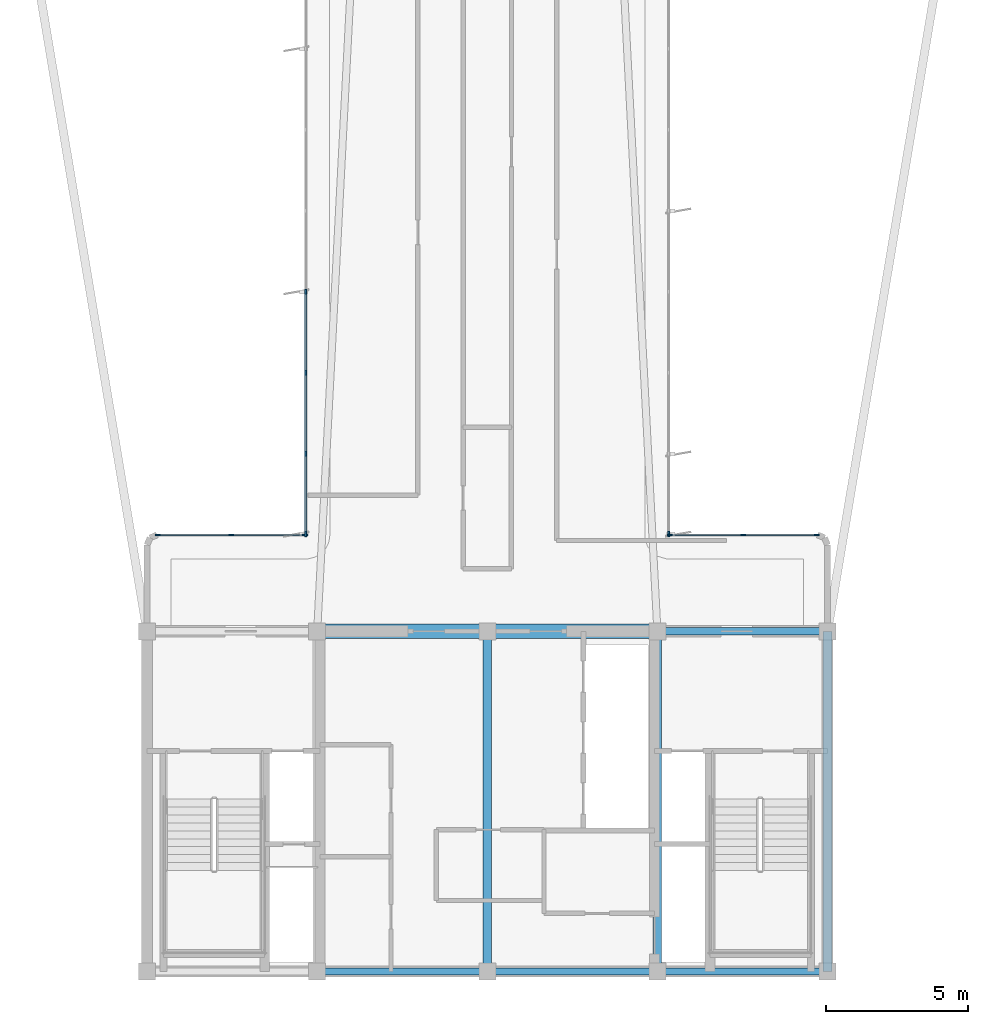
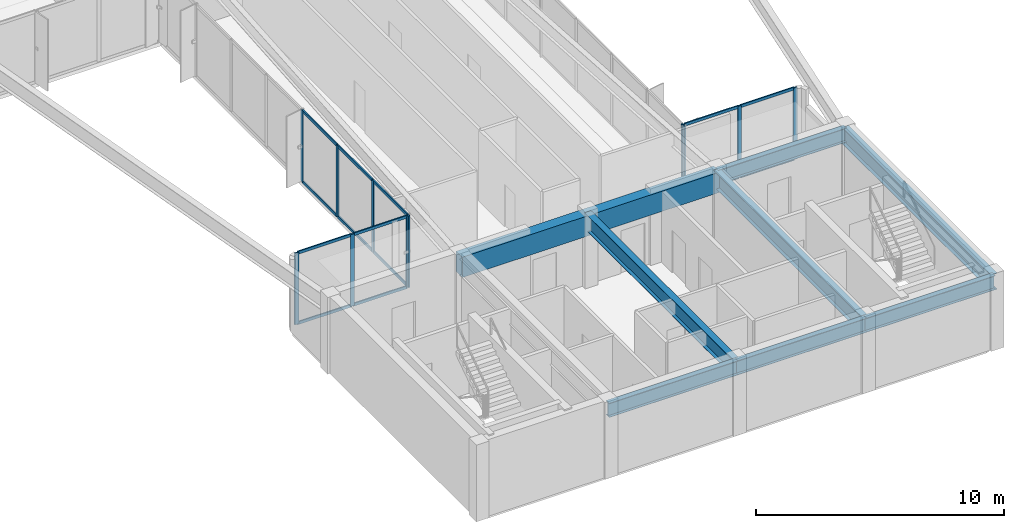
# One storey, part 2 of 16: 25 members, 8 beams, 4 elements without a shape of their own.
"""IFC4 building model written with IfcOpenShell, lengths in metres."""

from ifc_helpers import new_model, si_unit, direction, frame, origin, origin_2d, place, context, subcontext, project, spatial, rectangle, i_section, extrude, source, transform, mapped, material, layer, layer_set, material_profile, profile_set, type_object, element, aggregate, save


model = new_model("IFC4")

# Units and contexts
model_context = context("Model", 3, precision=1e-05, world=origin(), true_north=direction((0.0, 1.0)))
body_context = subcontext(model_context, "Body", "Model", "MODEL_VIEW")
ifc_project = project(units=[si_unit("LENGTHUNIT", "METRE"), si_unit("AREAUNIT", "SQUARE_METRE"), si_unit("VOLUMEUNIT", "CUBIC_METRE"), si_unit("PLANEANGLEUNIT", "RADIAN"), si_unit("MASSUNIT", "GRAM", prefix="KILO")], contexts=[model_context])

# Site, building, storey
site_placement = place(None, origin())
site = spatial("IfcSite", under=ifc_project, at=site_placement, CompositionType="ELEMENT")
building_placement = place(site_placement, origin())
building = spatial("IfcBuilding", under=site, at=building_placement, Name="Brelvock Crest Care Tower", CompositionType="ELEMENT")
storey_placement = place(building_placement, frame((0.0, 0.0, 238.139892578125)))
storey = spatial("IfcBuildingStorey", under=building, at=storey_placement, Name="L60", CompositionType="ELEMENT", Elevation=238.139892578125)

# Beams
ifc_material_1 = material(Name="Steel Grade 350", Category="steel")
ifc_material_profile_1 = material_profile(ifc_material_1, i_section(OverallWidth=0.25, OverallDepth=0.699951171875, WebThickness=0.011962890625, FlangeThickness=0.02001953125, at=origin_2d()), Name="700WB150")
ifc_profile_set_1 = profile_set([ifc_material_profile_1], Name="Steel Grade 350")
beam_type_1 = type_object("IfcBeamType", Name="BM-G4", PredefinedType="BEAM", material=ifc_profile_set_1)
shared_shape_1 = source(origin(), body_context, "Body", "SweptSolid", [
    extrude(i_section(OverallWidth=0.25, OverallDepth=0.699951171875, WebThickness=0.011962890625, FlangeThickness=0.02001953125, at=origin_2d()), origin(), (0.0, 0.0, 1.0), 6.0),
])
for number, where, z_axis, x_axis, name in (
    (1, (30.0, 6.0, 3.18017578125), (1.0, 0.0, 0.0), (0.0, 1.0, 0.0), "BM-CORES-L60-2"),
    (2, (36.0, 6.0, 3.18017578125), (1.0, 0.0, 0.0), (0.0, 1.0, 0.0), "BM-CORES-L60-3"),
    (3, (42.0, 6.0, 3.18017578125), (1.0, 0.0, 0.0), (0.0, 1.0, 0.0), "BM-CORES-L60-4"),
    (4, (42.0, 18.0, 3.18017578125), (1.0, 0.0, 0.0), (0.0, 1.0, 0.0), "BM-COREN-L60-4"),
):
    element("IfcBeam", number, at=place(storey_placement, frame(where, z_axis=z_axis, x_axis=x_axis)), inside=storey, type_object=beam_type_1, Name=name, PredefinedType="BEAM", context=body_context, shape_type="MappedRepresentation", body=[
        mapped(shared_shape_1, transform((0.0, 0.0, 0.0), x_axis=(1.0, 0.0, 0.0), y_axis=(0.0, 1.0, 0.0), z_axis=(0.0, 0.0, 1.0), scale=1.0)),
    ])
ifc_material_profile_2 = material_profile(ifc_material_1, i_section(OverallWidth=0.300048828125, OverallDepth=0.800048828125, WebThickness=0.013916015625, FlangeThickness=0.02197265625, at=origin_2d()), Name="800WB192")
ifc_profile_set_2 = profile_set([ifc_material_profile_2], Name="Steel Grade 350")
beam_type_2 = type_object("IfcBeamType", Name="BM-G5", PredefinedType="BEAM", material=ifc_profile_set_2)
shared_shape_2 = source(origin(), body_context, "Body", "SweptSolid", [
    extrude(i_section(OverallWidth=0.300048828125, OverallDepth=0.800048828125, WebThickness=0.013916015625, FlangeThickness=0.02197265625, at=origin_2d()), origin(), (0.0, 0.0, 1.0), 12.0),
])
for number, where, z_axis, x_axis, name in (
    (5, (36.0, 6.0, 3.130126953125), (0.0, 1.0, 0.0), (-1.0, 0.0, 0.0), "BM-COREX-L60-3"),
    (6, (42.0, 6.0, 3.130126953125), (0.0, 1.0, 0.0), (-1.0, 0.0, 0.0), "BM-COREX-L60-4"),
    (7, (48.0, 6.0, 3.130126953125), (0.0, 1.0, 0.0), (-1.0, 0.0, 0.0), "BM-COREX-L60-5"),
):
    element("IfcBeam", number, at=place(storey_placement, frame(where, z_axis=z_axis, x_axis=x_axis)), inside=storey, type_object=beam_type_2, Name=name, PredefinedType="BEAM", context=body_context, shape_type="MappedRepresentation", body=[
        mapped(shared_shape_2, transform((0.0, 0.0, 0.0), x_axis=(1.0, 0.0, 0.0), y_axis=(0.0, 1.0, 0.0), z_axis=(0.0, 0.0, 1.0), scale=1.0)),
    ])
ifc_material_2 = material(Name="Concrete S65 (65 MPa)", Category="concrete")
ifc_material_profile_3 = material_profile(ifc_material_2, rectangle(XDim=0.5, YDim=1.0, at=origin_2d()), Name="RC500x1000")
ifc_profile_set_3 = profile_set([ifc_material_profile_3], Name="Concrete S65 (65 MPa)")
beam_type_3 = type_object("IfcBeamType", Name="BM-LN2", PredefinedType="LINTEL", material=ifc_profile_set_3)
shared_shape_3 = source(origin(), body_context, "Body", "SweptSolid", [
    extrude(rectangle(XDim=0.5, YDim=1.0, at=origin_2d()), origin(), (0.0, 0.0, 1.0), 12.0),
])
beam_placement = place(storey_placement, frame((30.0, 18.0, 3.030029296875), z_axis=(1.0, 0.0, 0.0), x_axis=(0.0, 1.0, 0.0)))
element("IfcBeam", 8, at=beam_placement, inside=storey, type_object=beam_type_3, Name="L60 Core Coupling Lintel Beam", PredefinedType="LINTEL", context=body_context, shape_type="MappedRepresentation", body=[
    mapped(shared_shape_3, transform((0.0, 0.0, 0.0), x_axis=(1.0, 0.0, 0.0), y_axis=(0.0, 1.0, 0.0), z_axis=(0.0, 0.0, 1.0), scale=1.0)),
])

# Curtain wall, members
ifc_material_3 = material(Name="Dark Glass Double Glazed Low-E", Category="glass")
ifc_layer = layer(ifc_material_3, 0.239990234375, Name="CWS-5")
ifc_layer_set = layer_set([ifc_layer], Name="Dark Glass Double Glazed Low-E")
curtain_wall_type = type_object("IfcCurtainWallType", Name="CWS-5", PredefinedType="NOTDEFINED", material=ifc_layer_set)
curtain_wall_1_placement = place(storey_placement, origin())
curtain_wall_1 = element("IfcCurtainWall", 9, at=curtain_wall_1_placement, inside=storey, type_object=curtain_wall_type, Name="L60 Curtain Wall E10", PredefinedType="NOTDEFINED")
ifc_material_4 = material(Name="Aluminium 6063-T6", Category="aluminium")
ifc_material_profile_4 = material_profile(ifc_material_4, rectangle(XDim=0.06005859375, YDim=0.179931640625, at=origin_2d()), Name="ALU60x180")
ifc_profile_set_4 = profile_set([ifc_material_profile_4], Name="Aluminium 6063-T6")
member_type_1 = type_object("IfcMemberType", Name="CWM-2", PredefinedType="MULLION", material=ifc_profile_set_4)
shared_shape_4 = source(origin(), body_context, "Body", "SweptSolid", [
    extrude(rectangle(XDim=0.06005859375, YDim=0.179931640625, at=origin_2d()), origin(), (0.0, 0.0, 1.0), 3.530029296875),
])
member_1_placement = place(storey_placement, frame((24.3798828125, 21.39990234375, 0.0), z_axis=(0.0, 0.0, 1.0), x_axis=(0.0, 1.0, 0.0)))
member_1 = element("IfcMember", 10, at=member_1_placement, type_object=member_type_1, Name="CW-5 mullion 1", PredefinedType="MULLION", context=body_context, shape_type="MappedRepresentation", body=[
    mapped(shared_shape_4, transform((0.0, 0.0, 0.0), x_axis=(1.0, 0.0, 0.0), y_axis=(0.0, 1.0, 0.0), z_axis=(0.0, 0.0, 1.0), scale=1.0)),
])
member_2_placement = place(storey_placement, frame((26.97509765625, 21.39990234375, 0.0), z_axis=(0.0, 0.0, 1.0), x_axis=(0.0, 1.0, 0.0)))
member_2 = element("IfcMember", 11, at=member_2_placement, type_object=member_type_1, Name="CW-5 mullion 2", PredefinedType="MULLION", context=body_context, shape_type="MappedRepresentation", body=[
    mapped(shared_shape_4, transform((0.0, 0.0, 0.0), x_axis=(1.0, 0.0, 0.0), y_axis=(0.0, 1.0, 0.0), z_axis=(0.0, 0.0, 1.0), scale=1.0)),
])
member_3_placement = place(storey_placement, frame((29.570068359375, 21.39990234375, 0.0), z_axis=(0.0, 0.0, 1.0), x_axis=(0.0, 1.0, 0.0)))
member_3 = element("IfcMember", 12, at=member_3_placement, type_object=member_type_1, Name="CW-5 mullion 3", PredefinedType="MULLION", context=body_context, shape_type="MappedRepresentation", body=[
    mapped(shared_shape_4, transform((0.0, 0.0, 0.0), x_axis=(1.0, 0.0, 0.0), y_axis=(0.0, 1.0, 0.0), z_axis=(0.0, 0.0, 1.0), scale=1.0)),
])

curtain_wall_2_placement = place(storey_placement, origin())
curtain_wall_2 = element("IfcCurtainWall", 13, at=curtain_wall_2_placement, inside=storey, type_object=curtain_wall_type, Name="L60 Curtain Wall E11", PredefinedType="NOTDEFINED")
member_4_placement = place(storey_placement, frame((29.60009765625, 21.429931640625, 0.0), z_axis=(0.0, 0.0, 1.0), x_axis=(-1.0, 0.0, 0.0)))
member_4 = element("IfcMember", 14, at=member_4_placement, type_object=member_type_1, Name="CW-5 mullion 1", PredefinedType="MULLION", context=body_context, shape_type="MappedRepresentation", body=[
    mapped(shared_shape_4, transform((0.0, 0.0, 0.0), x_axis=(1.0, 0.0, 0.0), y_axis=(0.0, 1.0, 0.0), z_axis=(0.0, 0.0, 1.0), scale=1.0)),
])
member_5_placement = place(storey_placement, frame((29.60009765625, 24.257080078125, 0.0), z_axis=(0.0, 0.0, 1.0), x_axis=(-1.0, 0.0, 0.0)))
member_5 = element("IfcMember", 15, at=member_5_placement, type_object=member_type_1, Name="CW-5 mullion 2", PredefinedType="MULLION", context=body_context, shape_type="MappedRepresentation", body=[
    mapped(shared_shape_4, transform((0.0, 0.0, 0.0), x_axis=(1.0, 0.0, 0.0), y_axis=(0.0, 1.0, 0.0), z_axis=(0.0, 0.0, 1.0), scale=1.0)),
])
member_6_placement = place(storey_placement, frame((29.60009765625, 27.1142578125, 0.0), z_axis=(0.0, 0.0, 1.0), x_axis=(-1.0, 0.0, 0.0)))
member_6 = element("IfcMember", 16, at=member_6_placement, type_object=member_type_1, Name="CW-5 mullion 3", PredefinedType="MULLION", context=body_context, shape_type="MappedRepresentation", body=[
    mapped(shared_shape_4, transform((0.0, 0.0, 0.0), x_axis=(1.0, 0.0, 0.0), y_axis=(0.0, 1.0, 0.0), z_axis=(0.0, 0.0, 1.0), scale=1.0)),
])
member_7_placement = place(storey_placement, frame((29.60009765625, 29.971435546875, 0.0), z_axis=(0.0, 0.0, 1.0), x_axis=(-1.0, 0.0, 0.0)))
member_7 = element("IfcMember", 17, at=member_7_placement, type_object=member_type_1, Name="CW-5 mullion 4", PredefinedType="MULLION", context=body_context, shape_type="MappedRepresentation", body=[
    mapped(shared_shape_4, transform((0.0, 0.0, 0.0), x_axis=(1.0, 0.0, 0.0), y_axis=(0.0, 1.0, 0.0), z_axis=(0.0, 0.0, 1.0), scale=1.0)),
])

# Curtain wall, member
curtain_wall_3_placement = place(storey_placement, origin())
curtain_wall_3 = element("IfcCurtainWall", 18, at=curtain_wall_3_placement, inside=storey, type_object=curtain_wall_type, Name="L60 Curtain Wall E45", PredefinedType="NOTDEFINED")
member_8_placement = place(storey_placement, frame((42.39990234375, 21.429931640625, 0.0), z_axis=(0.0, 0.0, 1.0), x_axis=(1.0, 0.0, 0.0)))
member_8 = element("IfcMember", 19, at=member_8_placement, type_object=member_type_1, Name="CW-5 mullion 8", PredefinedType="MULLION", context=body_context, shape_type="MappedRepresentation", body=[
    mapped(shared_shape_4, transform((0.0, 0.0, 0.0), x_axis=(1.0, 0.0, 0.0), y_axis=(0.0, 1.0, 0.0), z_axis=(0.0, 0.0, 1.0), scale=1.0)),
])
aggregate(curtain_wall_3, [member_8])

# Curtain wall, members
curtain_wall_4_placement = place(storey_placement, origin())
curtain_wall_4 = element("IfcCurtainWall", 20, at=curtain_wall_4_placement, inside=storey, type_object=curtain_wall_type, Name="L60 Curtain Wall E46", PredefinedType="NOTDEFINED")
member_9_placement = place(storey_placement, frame((42.429931640625, 21.39990234375, 0.0), z_axis=(0.0, 0.0, 1.0), x_axis=(0.0, 1.0, 0.0)))
member_9 = element("IfcMember", 21, at=member_9_placement, type_object=member_type_1, Name="CW-5 mullion 1", PredefinedType="MULLION", context=body_context, shape_type="MappedRepresentation", body=[
    mapped(shared_shape_4, transform((0.0, 0.0, 0.0), x_axis=(1.0, 0.0, 0.0), y_axis=(0.0, 1.0, 0.0), z_axis=(0.0, 0.0, 1.0), scale=1.0)),
])
member_10_placement = place(storey_placement, frame((45.02490234375, 21.39990234375, 0.0), z_axis=(0.0, 0.0, 1.0), x_axis=(0.0, 1.0, 0.0)))
member_10 = element("IfcMember", 22, at=member_10_placement, type_object=member_type_1, Name="CW-5 mullion 2", PredefinedType="MULLION", context=body_context, shape_type="MappedRepresentation", body=[
    mapped(shared_shape_4, transform((0.0, 0.0, 0.0), x_axis=(1.0, 0.0, 0.0), y_axis=(0.0, 1.0, 0.0), z_axis=(0.0, 0.0, 1.0), scale=1.0)),
])
member_11_placement = place(storey_placement, frame((47.6201171875, 21.39990234375, 0.0), z_axis=(0.0, 0.0, 1.0), x_axis=(0.0, 1.0, 0.0)))
member_11 = element("IfcMember", 23, at=member_11_placement, type_object=member_type_1, Name="CW-5 mullion 3", PredefinedType="MULLION", context=body_context, shape_type="MappedRepresentation", body=[
    mapped(shared_shape_4, transform((0.0, 0.0, 0.0), x_axis=(1.0, 0.0, 0.0), y_axis=(0.0, 1.0, 0.0), z_axis=(0.0, 0.0, 1.0), scale=1.0)),
])

# Member
ifc_material_profile_5 = material_profile(ifc_material_4, rectangle(XDim=0.06005859375, YDim=0.139892578125, at=origin_2d()), Name="ALU60x140")
ifc_profile_set_5 = profile_set([ifc_material_profile_5], Name="Aluminium 6063-T6")
member_type_2 = type_object("IfcMemberType", Name="CWT-2", PredefinedType="USERDEFINED", material=ifc_profile_set_5)
shared_shape_5 = source(origin(), body_context, "Body", "SweptSolid", [
    extrude(rectangle(XDim=0.06005859375, YDim=0.139892578125, at=origin_2d()), origin(), (0.0, 0.0, 1.0), 2.53515625),
])
member_12_placement = place(storey_placement, frame((24.409912109375, 21.39990234375, 0.030029296875), z_axis=(1.0, 0.0, 0.0), x_axis=(0.0, 1.0, 0.0)))
member_12 = element("IfcMember", 24, at=member_12_placement, type_object=member_type_2, Name="CW-5 transom 1.1", ObjectType="TRANSOM", PredefinedType="USERDEFINED", context=body_context, shape_type="MappedRepresentation", body=[
    mapped(shared_shape_5, transform((0.0, 0.0, 0.0), x_axis=(1.0, 0.0, 0.0), y_axis=(0.0, 1.0, 0.0), z_axis=(0.0, 0.0, 1.0), scale=1.0)),
])

member_13_placement = place(storey_placement, frame((24.409912109375, 21.39990234375, 3.5), z_axis=(1.0, 0.0, 0.0), x_axis=(0.0, 1.0, 0.0)))
member_13 = element("IfcMember", 25, at=member_13_placement, type_object=member_type_2, Name="CW-5 transom 1.2", ObjectType="TRANSOM", PredefinedType="USERDEFINED", context=body_context, shape_type="MappedRepresentation", body=[
    mapped(shared_shape_5, transform((0.0, 0.0, 0.0), x_axis=(1.0, 0.0, 0.0), y_axis=(0.0, 1.0, 0.0), z_axis=(0.0, 0.0, 1.0), scale=1.0)),
])

member_14_placement = place(storey_placement, frame((27.0048828125, 21.39990234375, 0.030029296875), z_axis=(1.0, 0.0, 0.0), x_axis=(0.0, 1.0, 0.0)))
member_14 = element("IfcMember", 26, at=member_14_placement, type_object=member_type_2, Name="CW-5 transom 2.1", ObjectType="TRANSOM", PredefinedType="USERDEFINED", context=body_context, shape_type="MappedRepresentation", body=[
    mapped(shared_shape_5, transform((0.0, 0.0, 0.0), x_axis=(1.0, 0.0, 0.0), y_axis=(0.0, 1.0, 0.0), z_axis=(0.0, 0.0, 1.0), scale=1.0)),
])

member_15_placement = place(storey_placement, frame((27.0048828125, 21.39990234375, 3.5), z_axis=(1.0, 0.0, 0.0), x_axis=(0.0, 1.0, 0.0)))
member_15 = element("IfcMember", 27, at=member_15_placement, type_object=member_type_2, Name="CW-5 transom 2.2", ObjectType="TRANSOM", PredefinedType="USERDEFINED", context=body_context, shape_type="MappedRepresentation", body=[
    mapped(shared_shape_5, transform((0.0, 0.0, 0.0), x_axis=(1.0, 0.0, 0.0), y_axis=(0.0, 1.0, 0.0), z_axis=(0.0, 0.0, 1.0), scale=1.0)),
])

aggregate(curtain_wall_1, [member_1, member_2, member_3, member_12, member_13, member_14, member_15])

member_16_placement = place(storey_placement, frame((42.4599609375, 21.39990234375, 0.030029296875), z_axis=(1.0, 0.0, 0.0), x_axis=(0.0, 1.0, 0.0)))
member_16 = element("IfcMember", 28, at=member_16_placement, type_object=member_type_2, Name="CW-5 transom 1.1", ObjectType="TRANSOM", PredefinedType="USERDEFINED", context=body_context, shape_type="MappedRepresentation", body=[
    mapped(shared_shape_5, transform((0.0, 0.0, 0.0), x_axis=(1.0, 0.0, 0.0), y_axis=(0.0, 1.0, 0.0), z_axis=(0.0, 0.0, 1.0), scale=1.0)),
])

member_17_placement = place(storey_placement, frame((42.4599609375, 21.39990234375, 3.5), z_axis=(1.0, 0.0, 0.0), x_axis=(0.0, 1.0, 0.0)))
member_17 = element("IfcMember", 29, at=member_17_placement, type_object=member_type_2, Name="CW-5 transom 1.2", ObjectType="TRANSOM", PredefinedType="USERDEFINED", context=body_context, shape_type="MappedRepresentation", body=[
    mapped(shared_shape_5, transform((0.0, 0.0, 0.0), x_axis=(1.0, 0.0, 0.0), y_axis=(0.0, 1.0, 0.0), z_axis=(0.0, 0.0, 1.0), scale=1.0)),
])

member_18_placement = place(storey_placement, frame((45.054931640625, 21.39990234375, 0.030029296875), z_axis=(1.0, 0.0, 0.0), x_axis=(0.0, 1.0, 0.0)))
member_18 = element("IfcMember", 30, at=member_18_placement, type_object=member_type_2, Name="CW-5 transom 2.1", ObjectType="TRANSOM", PredefinedType="USERDEFINED", context=body_context, shape_type="MappedRepresentation", body=[
    mapped(shared_shape_5, transform((0.0, 0.0, 0.0), x_axis=(1.0, 0.0, 0.0), y_axis=(0.0, 1.0, 0.0), z_axis=(0.0, 0.0, 1.0), scale=1.0)),
])

member_19_placement = place(storey_placement, frame((45.054931640625, 21.39990234375, 3.5), z_axis=(1.0, 0.0, 0.0), x_axis=(0.0, 1.0, 0.0)))
member_19 = element("IfcMember", 31, at=member_19_placement, type_object=member_type_2, Name="CW-5 transom 2.2", ObjectType="TRANSOM", PredefinedType="USERDEFINED", context=body_context, shape_type="MappedRepresentation", body=[
    mapped(shared_shape_5, transform((0.0, 0.0, 0.0), x_axis=(1.0, 0.0, 0.0), y_axis=(0.0, 1.0, 0.0), z_axis=(0.0, 0.0, 1.0), scale=1.0)),
])

aggregate(curtain_wall_4, [member_9, member_10, member_11, member_16, member_17, member_18, member_19])

shared_shape_6 = source(origin(), body_context, "Body", "SweptSolid", [
    extrude(rectangle(XDim=0.06005859375, YDim=0.139892578125, at=origin_2d()), origin(), (0.0, 0.0, 1.0), 2.76708984375),
])
member_20_placement = place(storey_placement, frame((29.60009765625, 21.4599609375, 0.030029296875), z_axis=(0.0, 1.0, 0.0), x_axis=(-1.0, 0.0, 0.0)))
member_20 = element("IfcMember", 32, at=member_20_placement, type_object=member_type_2, Name="CW-5 transom 1.1", ObjectType="TRANSOM", PredefinedType="USERDEFINED", context=body_context, shape_type="MappedRepresentation", body=[
    mapped(shared_shape_6, transform((0.0, 0.0, 0.0), x_axis=(1.0, 0.0, 0.0), y_axis=(0.0, 1.0, 0.0), z_axis=(0.0, 0.0, 1.0), scale=1.0)),
])

member_21_placement = place(storey_placement, frame((29.60009765625, 21.4599609375, 3.5), z_axis=(0.0, 1.0, 0.0), x_axis=(-1.0, 0.0, 0.0)))
member_21 = element("IfcMember", 33, at=member_21_placement, type_object=member_type_2, Name="CW-5 transom 1.2", ObjectType="TRANSOM", PredefinedType="USERDEFINED", context=body_context, shape_type="MappedRepresentation", body=[
    mapped(shared_shape_6, transform((0.0, 0.0, 0.0), x_axis=(1.0, 0.0, 0.0), y_axis=(0.0, 1.0, 0.0), z_axis=(0.0, 0.0, 1.0), scale=1.0)),
])

shared_shape_7 = source(origin(), body_context, "Body", "SweptSolid", [
    extrude(rectangle(XDim=0.06005859375, YDim=0.139892578125, at=origin_2d()), origin(), (0.0, 0.0, 1.0), 2.797119140625),
])
member_22_placement = place(storey_placement, frame((29.60009765625, 24.287109375, 0.030029296875), z_axis=(0.0, 1.0, 0.0), x_axis=(-1.0, 0.0, 0.0)))
member_22 = element("IfcMember", 34, at=member_22_placement, type_object=member_type_2, Name="CW-5 transom 2.1", ObjectType="TRANSOM", PredefinedType="USERDEFINED", context=body_context, shape_type="MappedRepresentation", body=[
    mapped(shared_shape_7, transform((0.0, 0.0, 0.0), x_axis=(1.0, 0.0, 0.0), y_axis=(0.0, 1.0, 0.0), z_axis=(0.0, 0.0, 1.0), scale=1.0)),
])

member_23_placement = place(storey_placement, frame((29.60009765625, 24.287109375, 3.5), z_axis=(0.0, 1.0, 0.0), x_axis=(-1.0, 0.0, 0.0)))
member_23 = element("IfcMember", 35, at=member_23_placement, type_object=member_type_2, Name="CW-5 transom 2.2", ObjectType="TRANSOM", PredefinedType="USERDEFINED", context=body_context, shape_type="MappedRepresentation", body=[
    mapped(shared_shape_7, transform((0.0, 0.0, 0.0), x_axis=(1.0, 0.0, 0.0), y_axis=(0.0, 1.0, 0.0), z_axis=(0.0, 0.0, 1.0), scale=1.0)),
])

member_24_placement = place(storey_placement, frame((29.60009765625, 27.144287109375, 0.030029296875), z_axis=(0.0, 1.0, 0.0), x_axis=(-1.0, 0.0, 0.0)))
member_24 = element("IfcMember", 36, at=member_24_placement, type_object=member_type_2, Name="CW-5 transom 3.1", ObjectType="TRANSOM", PredefinedType="USERDEFINED", context=body_context, shape_type="MappedRepresentation", body=[
    mapped(shared_shape_7, transform((0.0, 0.0, 0.0), x_axis=(1.0, 0.0, 0.0), y_axis=(0.0, 1.0, 0.0), z_axis=(0.0, 0.0, 1.0), scale=1.0)),
])

member_25_placement = place(storey_placement, frame((29.60009765625, 27.144287109375, 3.5), z_axis=(0.0, 1.0, 0.0), x_axis=(-1.0, 0.0, 0.0)))
member_25 = element("IfcMember", 37, at=member_25_placement, type_object=member_type_2, Name="CW-5 transom 3.2", ObjectType="TRANSOM", PredefinedType="USERDEFINED", context=body_context, shape_type="MappedRepresentation", body=[
    mapped(shared_shape_7, transform((0.0, 0.0, 0.0), x_axis=(1.0, 0.0, 0.0), y_axis=(0.0, 1.0, 0.0), z_axis=(0.0, 0.0, 1.0), scale=1.0)),
])

aggregate(curtain_wall_2, [member_4, member_5, member_6, member_7, member_20, member_21, member_22, member_23, member_24, member_25])

save(model, "model.ifc")
